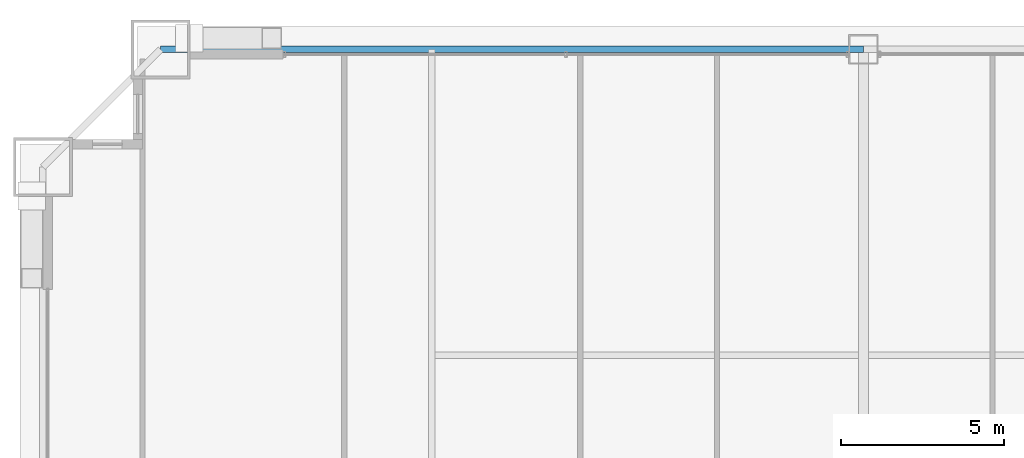
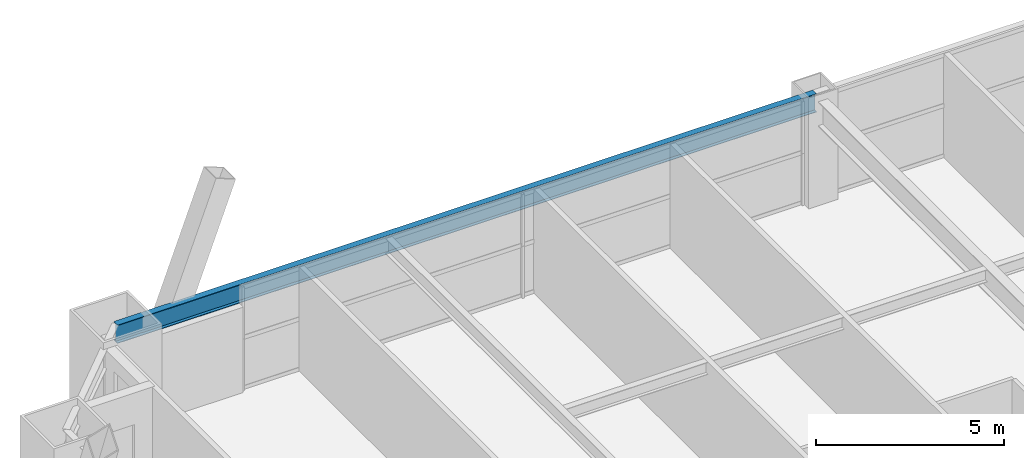
# One storey, part 27 of 43: 1 beam.
"""IFC4 building model written with IfcOpenShell, lengths in metres."""

from ifc_helpers import new_model, si_unit, direction, frame, origin, origin_2d, place, context, subcontext, project, spatial, i_section, extrude, source, transform, mapped, material, material_profile, profile_set, type_object, element, save


model = new_model("IFC4")

# Units and contexts
model_context = context("Model", 3, precision=1e-05, world=origin(), true_north=direction((0.0, 1.0)))
body_context = subcontext(model_context, "Body", "Model", "MODEL_VIEW")
ifc_project = project(units=[si_unit("LENGTHUNIT", "METRE"), si_unit("AREAUNIT", "SQUARE_METRE"), si_unit("VOLUMEUNIT", "CUBIC_METRE"), si_unit("PLANEANGLEUNIT", "RADIAN"), si_unit("MASSUNIT", "GRAM", prefix="KILO"), si_unit("THERMODYNAMICTEMPERATUREUNIT", "KELVIN"), si_unit("POWERUNIT", "WATT")], contexts=[model_context])

# Site, building, storey
site_placement = place(None, origin())
site = spatial("IfcSite", under=ifc_project, at=site_placement, CompositionType="ELEMENT")
building_placement = place(site_placement, origin())
building = spatial("IfcBuilding", under=site, at=building_placement, Name="Yuzanri Waterfront Tower", CompositionType="ELEMENT")
storey_placement = place(building_placement, frame((0.0, 0.0, 46.0)))
storey = spatial("IfcBuildingStorey", under=building, at=storey_placement, Name="L11", CompositionType="ELEMENT", Elevation=46.0)

# Beam
ifc_material = material(Name="Steel Q355B", Category="steel")
ifc_material_profile = material_profile(ifc_material, i_section(OverallWidth=0.199951171875, OverallDepth=0.60009765625, WebThickness=0.010986328125, FlangeThickness=0.01708984375, at=origin_2d()), Name="HN 600x200x11x17")
ifc_profile_set = profile_set([ifc_material_profile], Name="Steel Q355B")
beam_type = type_object("IfcBeamType", Name="Perimeter Spandrel Q355B HN 600x200", PredefinedType="SPANDREL", material=ifc_profile_set)
shared_shape = source(origin(), body_context, "Body", "SweptSolid", [
    extrude(i_section(OverallWidth=0.199951171875, OverallDepth=0.60009765625, WebThickness=0.010986328125, FlangeThickness=0.01708984375, at=origin_2d()), origin(), (0.0, 0.0, 1.0), 21.5),
])
beam_placement = place(storey_placement, frame((37.0, 50.89990234375, 3.080078125), z_axis=(-1.0, 0.0, 0.0), x_axis=(0.0, -1.0, 0.0)))
element("IfcBeam", 1, at=beam_placement, inside=storey, type_object=beam_type, Name="L11 Perimeter Spandrel N2-N1", PredefinedType="SPANDREL", context=body_context, shape_type="MappedRepresentation", body=[
    mapped(shared_shape, transform((0.0, 0.0, 0.0), scale=1.0)),
])

save(model, "model.ifc")
